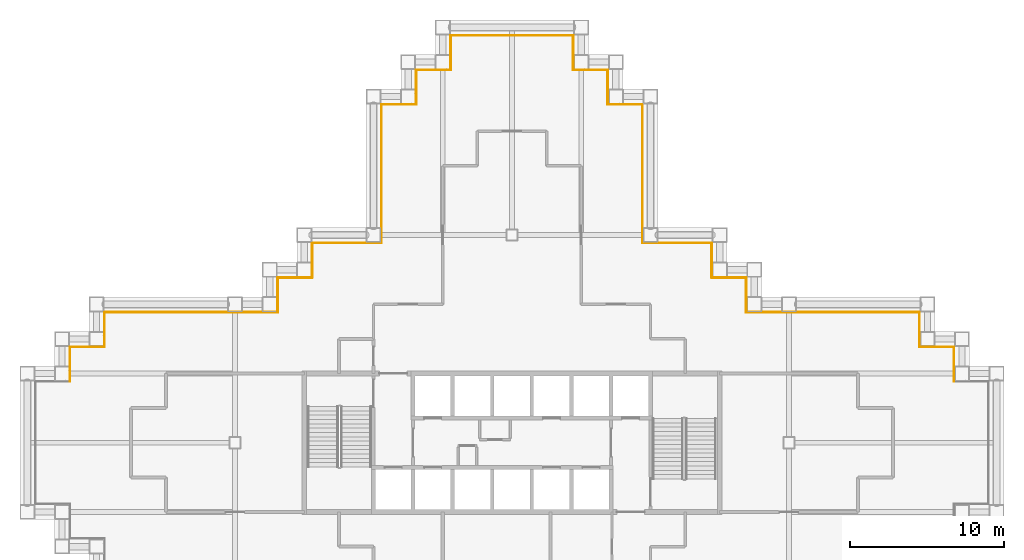
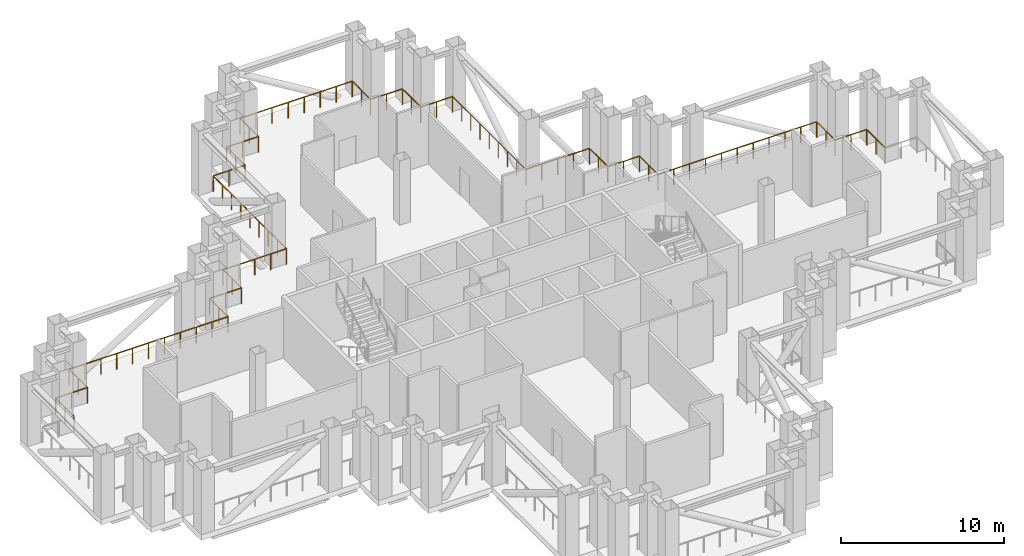
# One storey, part 10 of 10: 27 railings.
"""IFC4 building model written with IfcOpenShell, lengths in metres."""

from ifc_helpers import new_model, si_unit, direction, frame, origin, origin_2d, place, context, subcontext, project, spatial, circle, extrude, material, type_object, element, save


model = new_model("IFC4")

# Units and contexts
model_context = context("Model", 3, precision=1e-05, world=origin(), true_north=direction((0.0, 1.0)))
body_context = subcontext(model_context, "Body", "Model", "MODEL_VIEW")
ifc_project = project(units=[si_unit("LENGTHUNIT", "METRE"), si_unit("AREAUNIT", "SQUARE_METRE"), si_unit("VOLUMEUNIT", "CUBIC_METRE"), si_unit("PLANEANGLEUNIT", "RADIAN"), si_unit("MASSUNIT", "GRAM", prefix="KILO")], contexts=[model_context])

# Site, building, storey
site_placement = place(None, origin())
site = spatial("IfcSite", under=ifc_project, at=site_placement, CompositionType="ELEMENT")
building_placement = place(site_placement, origin())
building = spatial("IfcBuilding", under=site, at=building_placement, Name="Caravel Reach Hotel and Residences", CompositionType="ELEMENT")
storey_placement = place(building_placement, frame((0.0, 0.0, 96.0)))
storey = spatial("IfcBuildingStorey", under=building, at=storey_placement, Name="L23", CompositionType="ELEMENT", Elevation=96.0)

# Railings
ifc_material = material(Name="Stainless steel S30408", Category="steel")
railing_type = type_object("IfcRailingType", Name="G1 Guard 1200 stainless", PredefinedType="GUARDRAIL", material=ifc_material)
railing_1_placement = place(storey_placement, frame((60.22509765625, 30.97509765625, 0.0)))
element("IfcRailing", 1, at=railing_1_placement, inside=storey, type_object=railing_type, Name="Guard L23 1 run 22", PredefinedType="GUARDRAIL", context=body_context, shape_type="SweptSolid", body=[
    extrude(circle(Radius=0.02392578125, at=origin_2d()), frame((0.0, 0.0, 1.17578125), z_axis=(0.0, 1.0, 0.0), x_axis=(-1.0, 0.0, 0.0)), (0.0, 0.0, 1.0), 2.25),
    extrude(circle(Radius=0.02099609375, at=origin_2d()), frame((0.0, 1.125, 0.0)), (0.0, 0.0, 1.0), 1.15185546875),
    extrude(circle(Radius=0.02099609375, at=origin_2d()), frame((0.0, 2.25, 0.0)), (0.0, 0.0, 1.0), 1.15185546875),
])
railing_2_placement = place(storey_placement, frame((60.22509765625, 33.22509765625, 0.0)))
element("IfcRailing", 2, at=railing_2_placement, inside=storey, type_object=railing_type, Name="Guard L23 1 run 23", PredefinedType="GUARDRAIL", context=body_context, shape_type="SweptSolid", body=[
    extrude(circle(Radius=0.02392578125, at=origin_2d()), frame((0.0, 0.0, 1.17578125), z_axis=(-1.0, 0.0, 0.0), x_axis=(0.0, -1.0, 0.0)), (0.0, 0.0, 1.0), 2.25),
    extrude(circle(Radius=0.02099609375, at=origin_2d()), frame((-1.125, 0.0, 0.0)), (0.0, 0.0, 1.0), 1.15185546875),
    extrude(circle(Radius=0.02099609375, at=origin_2d()), frame((-2.25, 0.0, 0.0)), (0.0, 0.0, 1.0), 1.15185546875),
])
railing_3_placement = place(storey_placement, frame((57.97509765625, 33.22509765625, 0.0)))
element("IfcRailing", 3, at=railing_3_placement, inside=storey, type_object=railing_type, Name="Guard L23 1 run 24", PredefinedType="GUARDRAIL", context=body_context, shape_type="SweptSolid", body=[
    extrude(circle(Radius=0.02392578125, at=origin_2d()), frame((0.0, 0.0, 1.17578125), z_axis=(0.0, 1.0, 0.0), x_axis=(-1.0, 0.0, 0.0)), (0.0, 0.0, 1.0), 2.25),
    extrude(circle(Radius=0.02099609375, at=origin_2d()), frame((0.0, 1.125, 0.0)), (0.0, 0.0, 1.0), 1.15185546875),
    extrude(circle(Radius=0.02099609375, at=origin_2d()), frame((0.0, 2.25, 0.0)), (0.0, 0.0, 1.0), 1.15185546875),
])
railing_4_placement = place(storey_placement, frame((57.97509765625, 35.47509765625, 0.0)))
element("IfcRailing", 4, at=railing_4_placement, inside=storey, type_object=railing_type, Name="Guard L23 1 run 25", PredefinedType="GUARDRAIL", context=body_context, shape_type="SweptSolid", body=[
    extrude(circle(Radius=0.02392578125, at=origin_2d()), frame((0.0, 0.0, 1.17578125), z_axis=(-1.0, 0.0, 0.0), x_axis=(0.0, -1.0, 0.0)), (0.0, 0.0, 1.0), 11.25),
    extrude(circle(Radius=0.02099609375, at=origin_2d()), frame((-1.125, 0.0, 0.0)), (0.0, 0.0, 1.0), 1.15185546875),
    extrude(circle(Radius=0.02099609375, at=origin_2d()), frame((-2.25, 0.0, 0.0)), (0.0, 0.0, 1.0), 1.15185546875),
    extrude(circle(Radius=0.02099609375, at=origin_2d()), frame((-3.375, 0.0, 0.0)), (0.0, 0.0, 1.0), 1.15185546875),
    extrude(circle(Radius=0.02099609375, at=origin_2d()), frame((-4.5, 0.0, 0.0)), (0.0, 0.0, 1.0), 1.15185546875),
    extrude(circle(Radius=0.02099609375, at=origin_2d()), frame((-5.625, 0.0, 0.0)), (0.0, 0.0, 1.0), 1.15185546875),
    extrude(circle(Radius=0.02099609375, at=origin_2d()), frame((-6.75, 0.0, 0.0)), (0.0, 0.0, 1.0), 1.15185546875),
    extrude(circle(Radius=0.02099609375, at=origin_2d()), frame((-7.875, 0.0, 0.0)), (0.0, 0.0, 1.0), 1.15185546875),
    extrude(circle(Radius=0.02099609375, at=origin_2d()), frame((-9.0, 0.0, 0.0)), (0.0, 0.0, 1.0), 1.15185546875),
    extrude(circle(Radius=0.02099609375, at=origin_2d()), frame((-10.125, 0.0, 0.0)), (0.0, 0.0, 1.0), 1.15185546875),
    extrude(circle(Radius=0.02099609375, at=origin_2d()), frame((-11.25, 0.0, 0.0)), (0.0, 0.0, 1.0), 1.15185546875),
])
railing_5_placement = place(storey_placement, frame((46.72509765625, 35.47509765625, 0.0)))
element("IfcRailing", 5, at=railing_5_placement, inside=storey, type_object=railing_type, Name="Guard L23 1 run 26", PredefinedType="GUARDRAIL", context=body_context, shape_type="SweptSolid", body=[
    extrude(circle(Radius=0.02392578125, at=origin_2d()), frame((0.0, 0.0, 1.17578125), z_axis=(0.0, 1.0, 0.0), x_axis=(-1.0, 0.0, 0.0)), (0.0, 0.0, 1.0), 2.25),
    extrude(circle(Radius=0.02099609375, at=origin_2d()), frame((0.0, 1.125, 0.0)), (0.0, 0.0, 1.0), 1.15185546875),
    extrude(circle(Radius=0.02099609375, at=origin_2d()), frame((0.0, 2.25, 0.0)), (0.0, 0.0, 1.0), 1.15185546875),
])
railing_6_placement = place(storey_placement, frame((46.72509765625, 37.72509765625, 0.0)))
element("IfcRailing", 6, at=railing_6_placement, inside=storey, type_object=railing_type, Name="Guard L23 1 run 27", PredefinedType="GUARDRAIL", context=body_context, shape_type="SweptSolid", body=[
    extrude(circle(Radius=0.02392578125, at=origin_2d()), frame((0.0, 0.0, 1.17578125), z_axis=(-1.0, 0.0, 0.0), x_axis=(0.0, -1.0, 0.0)), (0.0, 0.0, 1.0), 2.25),
    extrude(circle(Radius=0.02099609375, at=origin_2d()), frame((-1.125, 0.0, 0.0)), (0.0, 0.0, 1.0), 1.15185546875),
    extrude(circle(Radius=0.02099609375, at=origin_2d()), frame((-2.25, 0.0, 0.0)), (0.0, 0.0, 1.0), 1.15185546875),
])
railing_7_placement = place(storey_placement, frame((44.47509765625, 37.72509765625, 0.0)))
element("IfcRailing", 7, at=railing_7_placement, inside=storey, type_object=railing_type, Name="Guard L23 1 run 28", PredefinedType="GUARDRAIL", context=body_context, shape_type="SweptSolid", body=[
    extrude(circle(Radius=0.02392578125, at=origin_2d()), frame((0.0, 0.0, 1.17578125), z_axis=(0.0, 1.0, 0.0), x_axis=(-1.0, 0.0, 0.0)), (0.0, 0.0, 1.0), 2.25),
    extrude(circle(Radius=0.02099609375, at=origin_2d()), frame((0.0, 1.125, 0.0)), (0.0, 0.0, 1.0), 1.15185546875),
    extrude(circle(Radius=0.02099609375, at=origin_2d()), frame((0.0, 2.25, 0.0)), (0.0, 0.0, 1.0), 1.15185546875),
])
railing_8_placement = place(storey_placement, frame((44.47509765625, 39.97509765625, 0.0)))
element("IfcRailing", 8, at=railing_8_placement, inside=storey, type_object=railing_type, Name="Guard L23 1 run 29", PredefinedType="GUARDRAIL", context=body_context, shape_type="SweptSolid", body=[
    extrude(circle(Radius=0.02392578125, at=origin_2d()), frame((0.0, 0.0, 1.17578125), z_axis=(-1.0, 0.0, 0.0), x_axis=(0.0, -1.0, 0.0)), (0.0, 0.0, 1.0), 4.5),
    extrude(circle(Radius=0.02099609375, at=origin_2d()), frame((-1.125, 0.0, 0.0)), (0.0, 0.0, 1.0), 1.15185546875),
    extrude(circle(Radius=0.02099609375, at=origin_2d()), frame((-2.25, 0.0, 0.0)), (0.0, 0.0, 1.0), 1.15185546875),
    extrude(circle(Radius=0.02099609375, at=origin_2d()), frame((-3.375, 0.0, 0.0)), (0.0, 0.0, 1.0), 1.15185546875),
    extrude(circle(Radius=0.02099609375, at=origin_2d()), frame((-4.5, 0.0, 0.0)), (0.0, 0.0, 1.0), 1.15185546875),
])
railing_9_placement = place(storey_placement, frame((39.97509765625, 39.97509765625, 0.0)))
element("IfcRailing", 9, at=railing_9_placement, inside=storey, type_object=railing_type, Name="Guard L23 1 run 30", PredefinedType="GUARDRAIL", context=body_context, shape_type="SweptSolid", body=[
    extrude(circle(Radius=0.02392578125, at=origin_2d()), frame((0.0, 0.0, 1.17578125), z_axis=(0.0, 1.0, 0.0), x_axis=(-1.0, 0.0, 0.0)), (0.0, 0.0, 1.0), 9.0),
    extrude(circle(Radius=0.02099609375, at=origin_2d()), frame((0.0, 1.125, 0.0)), (0.0, 0.0, 1.0), 1.15185546875),
    extrude(circle(Radius=0.02099609375, at=origin_2d()), frame((0.0, 2.25, 0.0)), (0.0, 0.0, 1.0), 1.15185546875),
    extrude(circle(Radius=0.02099609375, at=origin_2d()), frame((0.0, 3.375, 0.0)), (0.0, 0.0, 1.0), 1.15185546875),
    extrude(circle(Radius=0.02099609375, at=origin_2d()), frame((0.0, 4.5, 0.0)), (0.0, 0.0, 1.0), 1.15185546875),
    extrude(circle(Radius=0.02099609375, at=origin_2d()), frame((0.0, 5.625, 0.0)), (0.0, 0.0, 1.0), 1.15185546875),
    extrude(circle(Radius=0.02099609375, at=origin_2d()), frame((0.0, 6.75, 0.0)), (0.0, 0.0, 1.0), 1.15185546875),
    extrude(circle(Radius=0.02099609375, at=origin_2d()), frame((0.0, 7.875, 0.0)), (0.0, 0.0, 1.0), 1.15185546875),
    extrude(circle(Radius=0.02099609375, at=origin_2d()), frame((0.0, 9.0, 0.0)), (0.0, 0.0, 1.0), 1.15185546875),
])
railing_10_placement = place(storey_placement, frame((39.97509765625, 48.97509765625, 0.0)))
element("IfcRailing", 10, at=railing_10_placement, inside=storey, type_object=railing_type, Name="Guard L23 1 run 31", PredefinedType="GUARDRAIL", context=body_context, shape_type="SweptSolid", body=[
    extrude(circle(Radius=0.02392578125, at=origin_2d()), frame((0.0, 0.0, 1.17578125), z_axis=(-1.0, 0.0, 0.0), x_axis=(0.0, -1.0, 0.0)), (0.0, 0.0, 1.0), 2.25),
    extrude(circle(Radius=0.02099609375, at=origin_2d()), frame((-1.125, 0.0, 0.0)), (0.0, 0.0, 1.0), 1.15185546875),
    extrude(circle(Radius=0.02099609375, at=origin_2d()), frame((-2.25, 0.0, 0.0)), (0.0, 0.0, 1.0), 1.15185546875),
])
railing_11_placement = place(storey_placement, frame((37.72509765625, 48.97509765625, 0.0)))
element("IfcRailing", 11, at=railing_11_placement, inside=storey, type_object=railing_type, Name="Guard L23 1 run 32", PredefinedType="GUARDRAIL", context=body_context, shape_type="SweptSolid", body=[
    extrude(circle(Radius=0.02392578125, at=origin_2d()), frame((0.0, 0.0, 1.17578125), z_axis=(0.0, 1.0, 0.0), x_axis=(-1.0, 0.0, 0.0)), (0.0, 0.0, 1.0), 2.25),
    extrude(circle(Radius=0.02099609375, at=origin_2d()), frame((0.0, 1.125, 0.0)), (0.0, 0.0, 1.0), 1.15185546875),
    extrude(circle(Radius=0.02099609375, at=origin_2d()), frame((0.0, 2.25, 0.0)), (0.0, 0.0, 1.0), 1.15185546875),
])
railing_12_placement = place(storey_placement, frame((37.72509765625, 51.22509765625, 0.0)))
element("IfcRailing", 12, at=railing_12_placement, inside=storey, type_object=railing_type, Name="Guard L23 1 run 33", PredefinedType="GUARDRAIL", context=body_context, shape_type="SweptSolid", body=[
    extrude(circle(Radius=0.02392578125, at=origin_2d()), frame((0.0, 0.0, 1.17578125), z_axis=(-1.0, 0.0, 0.0), x_axis=(0.0, -1.0, 0.0)), (0.0, 0.0, 1.0), 2.25),
    extrude(circle(Radius=0.02099609375, at=origin_2d()), frame((-1.125, 0.0, 0.0)), (0.0, 0.0, 1.0), 1.15185546875),
    extrude(circle(Radius=0.02099609375, at=origin_2d()), frame((-2.25, 0.0, 0.0)), (0.0, 0.0, 1.0), 1.15185546875),
])
railing_13_placement = place(storey_placement, frame((35.47509765625, 51.22509765625, 0.0)))
element("IfcRailing", 13, at=railing_13_placement, inside=storey, type_object=railing_type, Name="Guard L23 1 run 34", PredefinedType="GUARDRAIL", context=body_context, shape_type="SweptSolid", body=[
    extrude(circle(Radius=0.02392578125, at=origin_2d()), frame((0.0, 0.0, 1.17578125), z_axis=(0.0, 1.0, 0.0), x_axis=(-1.0, 0.0, 0.0)), (0.0, 0.0, 1.0), 2.25),
    extrude(circle(Radius=0.02099609375, at=origin_2d()), frame((0.0, 1.125, 0.0)), (0.0, 0.0, 1.0), 1.15185546875),
    extrude(circle(Radius=0.02099609375, at=origin_2d()), frame((0.0, 2.25, 0.0)), (0.0, 0.0, 1.0), 1.15185546875),
])
railing_14_placement = place(storey_placement, frame((35.47509765625, 53.47509765625, 0.0)))
element("IfcRailing", 14, at=railing_14_placement, inside=storey, type_object=railing_type, Name="Guard L23 1 run 35", PredefinedType="GUARDRAIL", context=body_context, shape_type="SweptSolid", body=[
    extrude(circle(Radius=0.02392578125, at=origin_2d()), frame((0.0, 0.0, 1.17578125), z_axis=(-1.0, 0.0, 0.0), x_axis=(0.0, -1.0, 0.0)), (0.0, 0.0, 1.0), 7.9501953125),
    extrude(circle(Radius=0.02099609375, at=origin_2d()), frame((-1.1357421875, 0.0, 0.0)), (0.0, 0.0, 1.0), 1.15185546875),
    extrude(circle(Radius=0.02099609375, at=origin_2d()), frame((-2.271484375, 0.0, 0.0)), (0.0, 0.0, 1.0), 1.15185546875),
    extrude(circle(Radius=0.02099609375, at=origin_2d()), frame((-3.4072265625, 0.0, 0.0)), (0.0, 0.0, 1.0), 1.15185546875),
    extrude(circle(Radius=0.02099609375, at=origin_2d()), frame((-4.54296875, 0.0, 0.0)), (0.0, 0.0, 1.0), 1.15185546875),
    extrude(circle(Radius=0.02099609375, at=origin_2d()), frame((-5.6787109375, 0.0, 0.0)), (0.0, 0.0, 1.0), 1.15185546875),
    extrude(circle(Radius=0.02099609375, at=origin_2d()), frame((-6.814453125, 0.0, 0.0)), (0.0, 0.0, 1.0), 1.15185546875),
    extrude(circle(Radius=0.02099609375, at=origin_2d()), frame((-7.9501953125, 0.0, 0.0)), (0.0, 0.0, 1.0), 1.15185546875),
])
railing_15_placement = place(storey_placement, frame((27.52490234375, 53.47509765625, 0.0)))
element("IfcRailing", 15, at=railing_15_placement, inside=storey, type_object=railing_type, Name="Guard L23 1 run 36", PredefinedType="GUARDRAIL", context=body_context, shape_type="SweptSolid", body=[
    extrude(circle(Radius=0.02392578125, at=origin_2d()), frame((0.0, 0.0, 1.17578125), z_axis=(0.0, -1.0, 0.0), x_axis=(1.0, 0.0, 0.0)), (0.0, 0.0, 1.0), 2.25),
    extrude(circle(Radius=0.02099609375, at=origin_2d()), frame((0.0, -1.125, 0.0)), (0.0, 0.0, 1.0), 1.15185546875),
    extrude(circle(Radius=0.02099609375, at=origin_2d()), frame((0.0, -2.25, 0.0)), (0.0, 0.0, 1.0), 1.15185546875),
])
railing_16_placement = place(storey_placement, frame((27.52490234375, 51.22509765625, 0.0)))
element("IfcRailing", 16, at=railing_16_placement, inside=storey, type_object=railing_type, Name="Guard L23 1 run 37", PredefinedType="GUARDRAIL", context=body_context, shape_type="SweptSolid", body=[
    extrude(circle(Radius=0.02392578125, at=origin_2d()), frame((0.0, 0.0, 1.17578125), z_axis=(-1.0, 0.0, 0.0), x_axis=(0.0, -1.0, 0.0)), (0.0, 0.0, 1.0), 2.25),
    extrude(circle(Radius=0.02099609375, at=origin_2d()), frame((-1.125, 0.0, 0.0)), (0.0, 0.0, 1.0), 1.15185546875),
    extrude(circle(Radius=0.02099609375, at=origin_2d()), frame((-2.25, 0.0, 0.0)), (0.0, 0.0, 1.0), 1.15185546875),
])
railing_17_placement = place(storey_placement, frame((25.27490234375, 51.22509765625, 0.0)))
element("IfcRailing", 17, at=railing_17_placement, inside=storey, type_object=railing_type, Name="Guard L23 1 run 38", PredefinedType="GUARDRAIL", context=body_context, shape_type="SweptSolid", body=[
    extrude(circle(Radius=0.02392578125, at=origin_2d()), frame((0.0, 0.0, 1.17578125), z_axis=(0.0, -1.0, 0.0), x_axis=(1.0, 0.0, 0.0)), (0.0, 0.0, 1.0), 2.25),
    extrude(circle(Radius=0.02099609375, at=origin_2d()), frame((0.0, -1.125, 0.0)), (0.0, 0.0, 1.0), 1.15185546875),
    extrude(circle(Radius=0.02099609375, at=origin_2d()), frame((0.0, -2.25, 0.0)), (0.0, 0.0, 1.0), 1.15185546875),
])
railing_18_placement = place(storey_placement, frame((25.27490234375, 48.97509765625, 0.0)))
element("IfcRailing", 18, at=railing_18_placement, inside=storey, type_object=railing_type, Name="Guard L23 1 run 39", PredefinedType="GUARDRAIL", context=body_context, shape_type="SweptSolid", body=[
    extrude(circle(Radius=0.02392578125, at=origin_2d()), frame((0.0, 0.0, 1.17578125), z_axis=(-1.0, 0.0, 0.0), x_axis=(0.0, -1.0, 0.0)), (0.0, 0.0, 1.0), 2.25),
    extrude(circle(Radius=0.02099609375, at=origin_2d()), frame((-1.125, 0.0, 0.0)), (0.0, 0.0, 1.0), 1.15185546875),
    extrude(circle(Radius=0.02099609375, at=origin_2d()), frame((-2.25, 0.0, 0.0)), (0.0, 0.0, 1.0), 1.15185546875),
])
railing_19_placement = place(storey_placement, frame((23.02490234375, 48.97509765625, 0.0)))
element("IfcRailing", 19, at=railing_19_placement, inside=storey, type_object=railing_type, Name="Guard L23 1 run 40", PredefinedType="GUARDRAIL", context=body_context, shape_type="SweptSolid", body=[
    extrude(circle(Radius=0.02392578125, at=origin_2d()), frame((0.0, 0.0, 1.17578125), z_axis=(0.0, -1.0, 0.0), x_axis=(1.0, 0.0, 0.0)), (0.0, 0.0, 1.0), 9.0),
    extrude(circle(Radius=0.02099609375, at=origin_2d()), frame((0.0, -1.125, 0.0)), (0.0, 0.0, 1.0), 1.15185546875),
    extrude(circle(Radius=0.02099609375, at=origin_2d()), frame((0.0, -2.25, 0.0)), (0.0, 0.0, 1.0), 1.15185546875),
    extrude(circle(Radius=0.02099609375, at=origin_2d()), frame((0.0, -3.375, 0.0)), (0.0, 0.0, 1.0), 1.15185546875),
    extrude(circle(Radius=0.02099609375, at=origin_2d()), frame((0.0, -4.5, 0.0)), (0.0, 0.0, 1.0), 1.15185546875),
    extrude(circle(Radius=0.02099609375, at=origin_2d()), frame((0.0, -5.625, 0.0)), (0.0, 0.0, 1.0), 1.15185546875),
    extrude(circle(Radius=0.02099609375, at=origin_2d()), frame((0.0, -6.75, 0.0)), (0.0, 0.0, 1.0), 1.15185546875),
    extrude(circle(Radius=0.02099609375, at=origin_2d()), frame((0.0, -7.875, 0.0)), (0.0, 0.0, 1.0), 1.15185546875),
    extrude(circle(Radius=0.02099609375, at=origin_2d()), frame((0.0, -9.0, 0.0)), (0.0, 0.0, 1.0), 1.15185546875),
])
railing_20_placement = place(storey_placement, frame((23.02490234375, 39.97509765625, 0.0)))
element("IfcRailing", 20, at=railing_20_placement, inside=storey, type_object=railing_type, Name="Guard L23 1 run 41", PredefinedType="GUARDRAIL", context=body_context, shape_type="SweptSolid", body=[
    extrude(circle(Radius=0.02392578125, at=origin_2d()), frame((0.0, 0.0, 1.17578125), z_axis=(-1.0, 0.0, 0.0), x_axis=(0.0, -1.0, 0.0)), (0.0, 0.0, 1.0), 4.5),
    extrude(circle(Radius=0.02099609375, at=origin_2d()), frame((-1.125, 0.0, 0.0)), (0.0, 0.0, 1.0), 1.15185546875),
    extrude(circle(Radius=0.02099609375, at=origin_2d()), frame((-2.25, 0.0, 0.0)), (0.0, 0.0, 1.0), 1.15185546875),
    extrude(circle(Radius=0.02099609375, at=origin_2d()), frame((-3.375, 0.0, 0.0)), (0.0, 0.0, 1.0), 1.15185546875),
    extrude(circle(Radius=0.02099609375, at=origin_2d()), frame((-4.5, 0.0, 0.0)), (0.0, 0.0, 1.0), 1.15185546875),
])
railing_21_placement = place(storey_placement, frame((18.52490234375, 39.97509765625, 0.0)))
element("IfcRailing", 21, at=railing_21_placement, inside=storey, type_object=railing_type, Name="Guard L23 1 run 42", PredefinedType="GUARDRAIL", context=body_context, shape_type="SweptSolid", body=[
    extrude(circle(Radius=0.02392578125, at=origin_2d()), frame((0.0, 0.0, 1.17578125), z_axis=(0.0, -1.0, 0.0), x_axis=(1.0, 0.0, 0.0)), (0.0, 0.0, 1.0), 2.25),
    extrude(circle(Radius=0.02099609375, at=origin_2d()), frame((0.0, -1.125, 0.0)), (0.0, 0.0, 1.0), 1.15185546875),
    extrude(circle(Radius=0.02099609375, at=origin_2d()), frame((0.0, -2.25, 0.0)), (0.0, 0.0, 1.0), 1.15185546875),
])
railing_22_placement = place(storey_placement, frame((18.52490234375, 37.72509765625, 0.0)))
element("IfcRailing", 22, at=railing_22_placement, inside=storey, type_object=railing_type, Name="Guard L23 1 run 43", PredefinedType="GUARDRAIL", context=body_context, shape_type="SweptSolid", body=[
    extrude(circle(Radius=0.02392578125, at=origin_2d()), frame((0.0, 0.0, 1.17578125), z_axis=(-1.0, 0.0, 0.0), x_axis=(0.0, -1.0, 0.0)), (0.0, 0.0, 1.0), 2.25),
    extrude(circle(Radius=0.02099609375, at=origin_2d()), frame((-1.125, 0.0, 0.0)), (0.0, 0.0, 1.0), 1.15185546875),
    extrude(circle(Radius=0.02099609375, at=origin_2d()), frame((-2.25, 0.0, 0.0)), (0.0, 0.0, 1.0), 1.15185546875),
])
railing_23_placement = place(storey_placement, frame((16.27490234375, 37.72509765625, 0.0)))
element("IfcRailing", 23, at=railing_23_placement, inside=storey, type_object=railing_type, Name="Guard L23 1 run 44", PredefinedType="GUARDRAIL", context=body_context, shape_type="SweptSolid", body=[
    extrude(circle(Radius=0.02392578125, at=origin_2d()), frame((0.0, 0.0, 1.17578125), z_axis=(0.0, -1.0, 0.0), x_axis=(1.0, 0.0, 0.0)), (0.0, 0.0, 1.0), 2.25),
    extrude(circle(Radius=0.02099609375, at=origin_2d()), frame((0.0, -1.125, 0.0)), (0.0, 0.0, 1.0), 1.15185546875),
    extrude(circle(Radius=0.02099609375, at=origin_2d()), frame((0.0, -2.25, 0.0)), (0.0, 0.0, 1.0), 1.15185546875),
])
railing_24_placement = place(storey_placement, frame((16.27490234375, 35.47509765625, 0.0)))
element("IfcRailing", 24, at=railing_24_placement, inside=storey, type_object=railing_type, Name="Guard L23 1 run 45", PredefinedType="GUARDRAIL", context=body_context, shape_type="SweptSolid", body=[
    extrude(circle(Radius=0.02392578125, at=origin_2d()), frame((0.0, 0.0, 1.17578125), z_axis=(-1.0, 0.0, 0.0), x_axis=(0.0, -1.0, 0.0)), (0.0, 0.0, 1.0), 11.25),
    extrude(circle(Radius=0.02099609375, at=origin_2d()), frame((-1.125, 0.0, 0.0)), (0.0, 0.0, 1.0), 1.15185546875),
    extrude(circle(Radius=0.02099609375, at=origin_2d()), frame((-2.25, 0.0, 0.0)), (0.0, 0.0, 1.0), 1.15185546875),
    extrude(circle(Radius=0.02099609375, at=origin_2d()), frame((-3.375, 0.0, 0.0)), (0.0, 0.0, 1.0), 1.15185546875),
    extrude(circle(Radius=0.02099609375, at=origin_2d()), frame((-4.5, 0.0, 0.0)), (0.0, 0.0, 1.0), 1.15185546875),
    extrude(circle(Radius=0.02099609375, at=origin_2d()), frame((-5.625, 0.0, 0.0)), (0.0, 0.0, 1.0), 1.15185546875),
    extrude(circle(Radius=0.02099609375, at=origin_2d()), frame((-6.75, 0.0, 0.0)), (0.0, 0.0, 1.0), 1.15185546875),
    extrude(circle(Radius=0.02099609375, at=origin_2d()), frame((-7.875, 0.0, 0.0)), (0.0, 0.0, 1.0), 1.15185546875),
    extrude(circle(Radius=0.02099609375, at=origin_2d()), frame((-9.0, 0.0, 0.0)), (0.0, 0.0, 1.0), 1.15185546875),
    extrude(circle(Radius=0.02099609375, at=origin_2d()), frame((-10.125, 0.0, 0.0)), (0.0, 0.0, 1.0), 1.15185546875),
    extrude(circle(Radius=0.02099609375, at=origin_2d()), frame((-11.25, 0.0, 0.0)), (0.0, 0.0, 1.0), 1.15185546875),
])
railing_25_placement = place(storey_placement, frame((5.02490234375, 35.47509765625, 0.0)))
element("IfcRailing", 25, at=railing_25_placement, inside=storey, type_object=railing_type, Name="Guard L23 1 run 46", PredefinedType="GUARDRAIL", context=body_context, shape_type="SweptSolid", body=[
    extrude(circle(Radius=0.02392578125, at=origin_2d()), frame((0.0, 0.0, 1.17578125), z_axis=(0.0, -1.0, 0.0), x_axis=(1.0, 0.0, 0.0)), (0.0, 0.0, 1.0), 2.25),
    extrude(circle(Radius=0.02099609375, at=origin_2d()), frame((0.0, -1.125, 0.0)), (0.0, 0.0, 1.0), 1.15185546875),
    extrude(circle(Radius=0.02099609375, at=origin_2d()), frame((0.0, -2.25, 0.0)), (0.0, 0.0, 1.0), 1.15185546875),
])
railing_26_placement = place(storey_placement, frame((5.02490234375, 33.22509765625, 0.0)))
element("IfcRailing", 26, at=railing_26_placement, inside=storey, type_object=railing_type, Name="Guard L23 1 run 47", PredefinedType="GUARDRAIL", context=body_context, shape_type="SweptSolid", body=[
    extrude(circle(Radius=0.02392578125, at=origin_2d()), frame((0.0, 0.0, 1.17578125), z_axis=(-1.0, 0.0, 0.0), x_axis=(0.0, -1.0, 0.0)), (0.0, 0.0, 1.0), 2.25),
    extrude(circle(Radius=0.02099609375, at=origin_2d()), frame((-1.125, 0.0, 0.0)), (0.0, 0.0, 1.0), 1.15185546875),
    extrude(circle(Radius=0.02099609375, at=origin_2d()), frame((-2.25, 0.0, 0.0)), (0.0, 0.0, 1.0), 1.15185546875),
])
railing_27_placement = place(storey_placement, frame((2.77490234375, 33.22509765625, 0.0)))
element("IfcRailing", 27, at=railing_27_placement, inside=storey, type_object=railing_type, Name="Guard L23 1 run 48", PredefinedType="GUARDRAIL", context=body_context, shape_type="SweptSolid", body=[
    extrude(circle(Radius=0.02392578125, at=origin_2d()), frame((0.0, 0.0, 1.17578125), z_axis=(0.0, -1.0, 0.0), x_axis=(1.0, 0.0, 0.0)), (0.0, 0.0, 1.0), 2.25),
    extrude(circle(Radius=0.02099609375, at=origin_2d()), frame((0.0, -1.125, 0.0)), (0.0, 0.0, 1.0), 1.15185546875),
    extrude(circle(Radius=0.02099609375, at=origin_2d()), frame((0.0, -2.25, 0.0)), (0.0, 0.0, 1.0), 1.15185546875),
])

save(model, "model.ifc")
